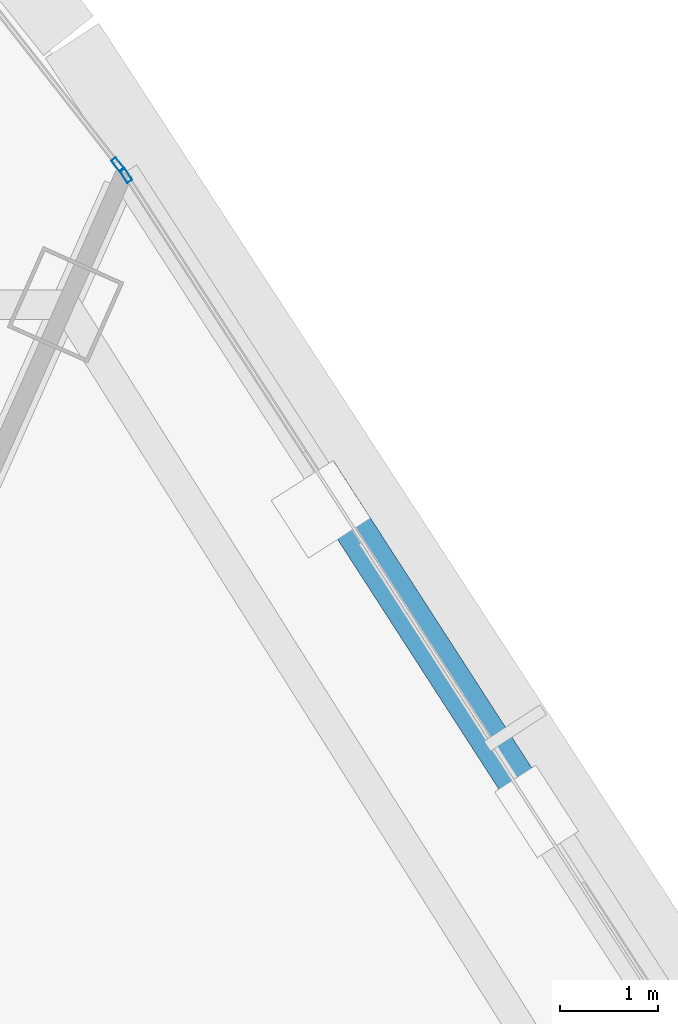
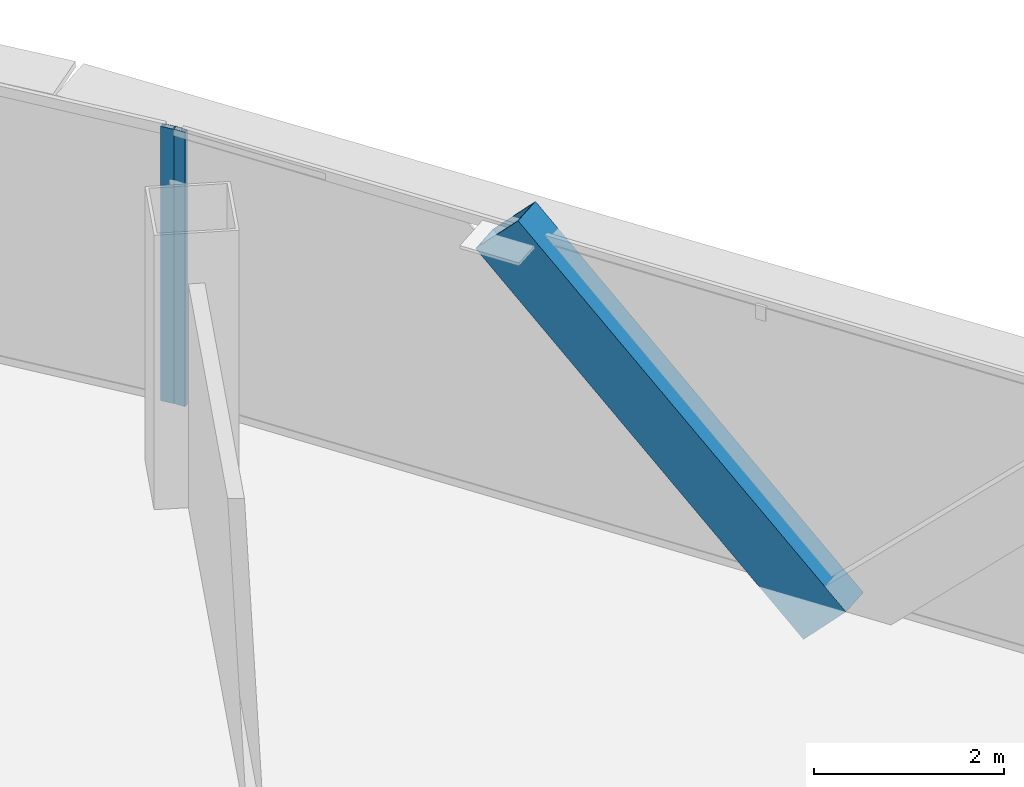
# One storey, part 22 of 36: 3 members, 2 elements without a shape of their own.
"""IFC4 building model written with IfcOpenShell, lengths in metres."""

from ifc_helpers import new_model, si_unit, direction, frame, origin, origin_2d, place, context, subcontext, project, spatial, hollow_rectangle, extrude, source, transform, mapped, material, layer, layer_set, material_profile, profile_set, type_object, element, aggregate, save


model = new_model("IFC4")

# Units and contexts
model_context = context("Model", 3, precision=1e-05, world=origin(), true_north=direction((0.0, 1.0)))
body_context = subcontext(model_context, "Body", "Model", "MODEL_VIEW")
ifc_project = project(units=[si_unit("LENGTHUNIT", "METRE"), si_unit("AREAUNIT", "SQUARE_METRE"), si_unit("VOLUMEUNIT", "CUBIC_METRE"), si_unit("PLANEANGLEUNIT", "RADIAN"), si_unit("MASSUNIT", "GRAM", prefix="KILO"), si_unit("THERMODYNAMICTEMPERATUREUNIT", "KELVIN"), si_unit("POWERUNIT", "WATT")], contexts=[model_context])

# Site, building, storey
site_placement = place(None, origin())
site = spatial("IfcSite", under=ifc_project, at=site_placement, CompositionType="ELEMENT")
building_placement = place(site_placement, origin())
building = spatial("IfcBuilding", under=site, at=building_placement, Name="Yunzhuo Pagoda Commons", CompositionType="ELEMENT")
storey_placement = place(building_placement, frame((0.0, 0.0, 215.159912109375)))
storey = spatial("IfcBuildingStorey", under=building, at=storey_placement, Name="L54", CompositionType="ELEMENT", Elevation=215.159912109375)

# Member
ifc_material_1 = material(Name="Structural steel Q355B", Category="steel")
ifc_material_profile_1 = material_profile(ifc_material_1, hollow_rectangle(XDim=0.39990234375, YDim=0.719970703125, WallThickness=0.02392578125, at=origin_2d()), Name="Structural steel Q355B")
ifc_profile_set_1 = profile_set([ifc_material_profile_1], Name="Structural steel Q355B")
member_type_1 = type_object("IfcMemberType", Name="M-DL2 Brace BOX 720x400x24", PredefinedType="BRACE", material=ifc_profile_set_1)
shared_shape_1 = source(origin(), body_context, "Body", "SweptSolid", [
    extrude(hollow_rectangle(XDim=0.39990234375, YDim=0.719970703125, WallThickness=0.02392578125, at=origin_2d()), origin(), (0.0, 0.0, 1.0), 5.41259765625),
])
member_1_placement = place(storey_placement, frame((67.499755859375, 61.55029296875, -0.260009765625), z_axis=(-0.388184919033, 0.601312242114, 0.698381025028), x_axis=(-0.840142880277, -0.542365135974, 0.0)))
element("IfcMember", 1, at=member_1_placement, inside=storey, type_object=member_type_1, Name="L54 facade diamond brace F2.3R", PredefinedType="BRACE", context=body_context, shape_type="MappedRepresentation", body=[
    mapped(shared_shape_1, transform((0.0, 0.0, 0.0), scale=1.0)),
])

# Curtain wall, member
ifc_material_2 = material(Name="Anodized aluminium 6063-T6", Category="aluminium")
ifc_layer = layer(ifc_material_2, 0.14990234375)
ifc_layer_set = layer_set([ifc_layer], Name="Anodized aluminium 6063-T6")
curtain_wall_type = type_object("IfcCurtainWallType", Name="CW-MID Mid-Zone Ribbon Curtain Wall", PredefinedType="NOTDEFINED", material=ifc_layer_set)
curtain_wall_1_placement = place(storey_placement, origin())
curtain_wall_1 = element("IfcCurtainWall", 2, at=curtain_wall_1_placement, inside=storey, type_object=curtain_wall_type, Name="L54 curtain wall CW-L54-F2B4", PredefinedType="NOTDEFINED")
ifc_material_profile_2 = material_profile(ifc_material_2, hollow_rectangle(XDim=0.06005859375, YDim=0.14990234375, WallThickness=0.00390625, at=origin_2d()), Name="Anodized aluminium 6063-T6")
ifc_profile_set_2 = profile_set([ifc_material_profile_2], Name="Anodized aluminium 6063-T6")
member_type_2 = type_object("IfcMemberType", Name="CW-MID-M Mullion RHS 150x60x4", PredefinedType="MULLION", material=ifc_profile_set_2)
shared_shape_2 = source(origin(), body_context, "Body", "SweptSolid", [
    extrude(hollow_rectangle(XDim=0.06005859375, YDim=0.14990234375, WallThickness=0.00390625, at=origin_2d()), origin(), (0.0, 0.0, 1.0), 3.52001953125),
])
member_2_placement = place(storey_placement, frame((63.31396484375, 68.0341796875, 0.0), z_axis=(0.0, 0.0, 1.0), x_axis=(-0.840138139518, -0.542372479508, 0.0)))
member_2 = element("IfcMember", 3, at=member_2_placement, type_object=member_type_2, Name="CW mullion 2", PredefinedType="MULLION", context=body_context, shape_type="MappedRepresentation", body=[
    mapped(shared_shape_2, transform((0.0, 0.0, 0.0), scale=1.0)),
])
aggregate(curtain_wall_1, [member_2])

curtain_wall_2_placement = place(storey_placement, origin())
curtain_wall_2 = element("IfcCurtainWall", 4, at=curtain_wall_2_placement, inside=storey, type_object=curtain_wall_type, Name="L54 curtain wall CW-L54-F2B5", PredefinedType="NOTDEFINED")
member_3_placement = place(storey_placement, frame((63.23291015625, 68.141845703125, 0.0), z_axis=(0.0, 0.0, 1.0), x_axis=(-0.78725022787, -0.616633666547, 0.0)))
member_3 = element("IfcMember", 5, at=member_3_placement, type_object=member_type_2, Name="CW mullion 1", PredefinedType="MULLION", context=body_context, shape_type="MappedRepresentation", body=[
    mapped(shared_shape_2, transform((0.0, 0.0, 0.0), scale=1.0)),
])
aggregate(curtain_wall_2, [member_3])

save(model, "model.ifc")
